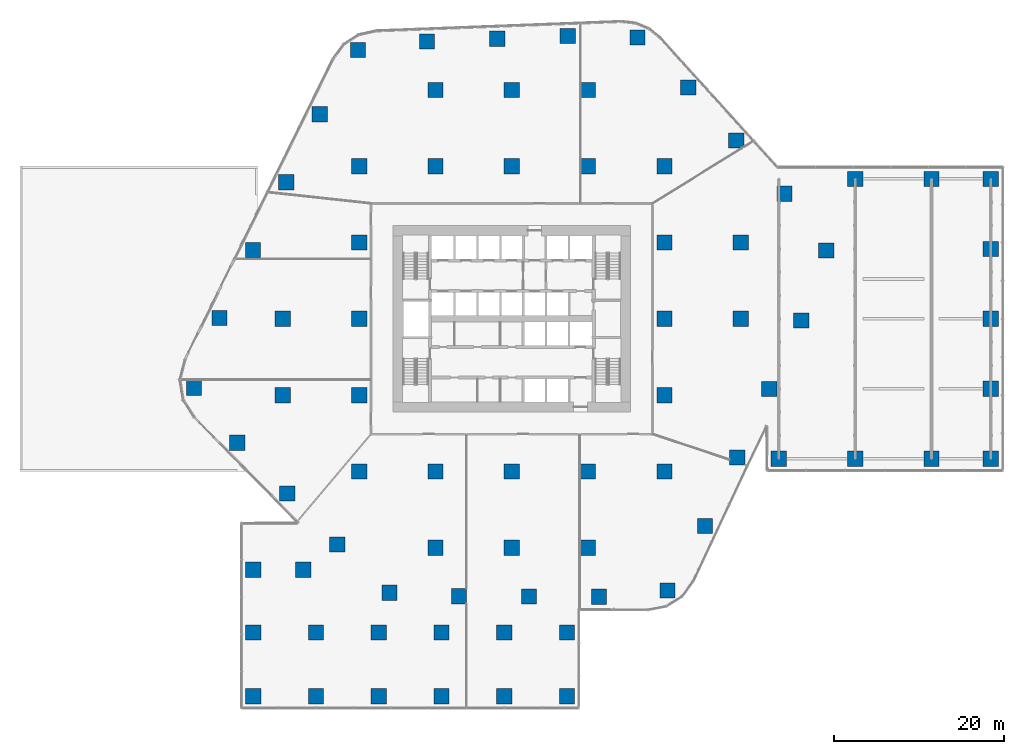
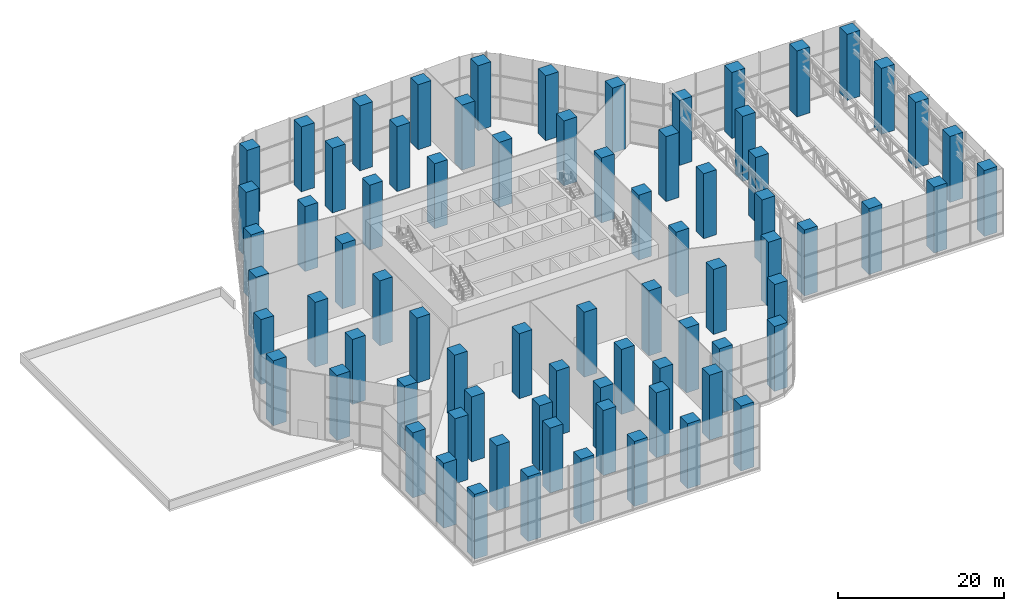
# One storey, part 1 of 21: 76 columns.
"""IFC4 building model written with IfcOpenShell, lengths in metres."""

from ifc_helpers import new_model, si_unit, direction, frame, origin, origin_2d, place, context, subcontext, project, spatial, rectangle, extrude, material, material_profile, profile_set, type_object, element, save


model = new_model("IFC4")

# Units and contexts
model_context = context("Model", 3, precision=1e-05, world=origin(), true_north=direction((0.0, 1.0)))
body_context = subcontext(model_context, "Body", "Model", "MODEL_VIEW")
ifc_project = project(units=[si_unit("LENGTHUNIT", "METRE"), si_unit("AREAUNIT", "SQUARE_METRE"), si_unit("VOLUMEUNIT", "CUBIC_METRE"), si_unit("PLANEANGLEUNIT", "RADIAN"), si_unit("MASSUNIT", "GRAM", prefix="KILO")], contexts=[model_context])

# Site, building, storey
site_placement = place(None, origin())
site = spatial("IfcSite", under=ifc_project, at=site_placement, CompositionType="ELEMENT")
building_placement = place(site_placement, origin())
building = spatial("IfcBuilding", under=site, at=building_placement, Name="Dongbaek Canopy Tower", CompositionType="ELEMENT")
storey_placement = place(building_placement, frame((0.0, 0.0, 9.0)))
storey = spatial("IfcBuildingStorey", under=building, at=storey_placement, Name="L01", CompositionType="ELEMENT", Elevation=9.0)

# Columns
ifc_material = material(Name="Concrete C80", Category="concrete")
ifc_material_profile = material_profile(ifc_material, rectangle(XDim=1.800048828125, YDim=1.800048828125, at=origin_2d()), Name="RC COLUMN 1800x1800 C80")
ifc_profile_set = profile_set([ifc_material_profile], Name="Concrete C80")
column_type = type_object("IfcColumnType", Name="RC COLUMN 1800x1800 C80", PredefinedType="COLUMN", material=ifc_profile_set)
for number, where, z_axis, x_axis, name in (
    (1, (18.367919921875, -32.04296875, 0.0), (0.0, 0.0, 1.0), (1.0, 0.0, 0.0), "COL:CP-01:L01"),
    (2, (10.277099609375, -32.7900390625, 0.0), (0.0, 0.0, 1.0), (1.0, 0.0, 0.0), "COL:CP-02:L01"),
    (3, (2.027099609375, -32.7529296875, 0.0), (0.0, 0.0, 1.0), (1.0, 0.0, 0.0), "COL:CP-03:L01"),
    (4, (-6.221923828125, -32.717041015625, 0.0), (0.0, 0.0, 1.0), (1.0, 0.0, 0.0), "COL:CP-04:L01"),
    (5, (-14.43408203125, -32.31298828125, 0.0), (0.0, 0.0, 1.0), (1.0, 0.0, 0.0), "COL:CP-05:L01"),
    (6, (-20.573974609375, -26.60205078125, 0.0), (0.0, 0.0, 1.0), (1.0, 0.0, 0.0), "COL:CP-06:L01"),
    (7, (-26.47802734375, -20.60791015625, 0.0), (0.0, 0.0, 1.0), (1.0, 0.0, 0.0), "COL:CP-07:L01"),
    (8, (-32.382080078125, -14.613037109375, 0.0), (0.0, 0.0, 1.0), (1.0, 0.0, 0.0), "COL:CP-08:L01"),
    (9, (-37.489013671875, -8.123046875, 0.0), (0.0, 0.0, 1.0), (1.0, 0.0, 0.0), "COL:CP-09:L01"),
    (10, (-34.462890625, 0.10302734375, 0.0), (0.0, 0.0, 1.0), (1.0, 0.0, 0.0), "COL:CP-10:L01"),
    (11, (-30.52490234375, 8.111083984375, 0.0), (0.0, 0.0, 1.0), (1.0, 0.0, 0.0), "COL:CP-11:L01"),
    (12, (-26.5859375, 16.117919921875, 0.0), (0.0, 0.0, 1.0), (1.0, 0.0, 0.0), "COL:CP-12:L01"),
    (13, (-22.64794921875, 24.125, 0.0), (0.0, 0.0, 1.0), (1.0, 0.0, 0.0), "COL:CP-13:L01"),
    (14, (-18.138916015625, 31.698974609375, 0.0), (0.0, 0.0, 1.0), (1.0, 0.0, 0.0), "COL:CP-14:L01"),
    (15, (-10.006103515625, 32.714111328125, 0.0), (0.0, 0.0, 1.0), (1.0, 0.0, 0.0), "COL:CP-15:L01"),
    (16, (-1.7080078125, 33.031982421875, 0.0), (0.0, 0.0, 1.0), (1.0, 0.0, 0.0), "COL:CP-16:L01"),
    (17, (6.589111328125, 33.34912109375, 0.0), (0.0, 0.0, 1.0), (1.0, 0.0, 0.0), "COL:CP-17:L01"),
    (18, (14.830078125, 33.194091796875, 0.0), (0.0, 0.0, 1.0), (1.0, 0.0, 0.0), "COL:CP-18:L01"),
    (19, (20.804931640625, 27.297119140625, 0.0), (0.0, 0.0, 1.0), (1.0, 0.0, 0.0), "COL:CP-19:L01"),
    (20, (26.48193359375, 21.029052734375, 0.0), (0.0, 0.0, 1.0), (1.0, 0.0, 0.0), "COL:CP-20:L01"),
    (21, (32.157958984375, 14.760986328125, 0.0), (0.0, 0.0, 1.0), (1.0, 0.0, 0.0), "COL:CP-21:L01"),
    (22, (37.097900390625, 8.06591796875, 0.0), (0.0, 0.0, 1.0), (1.0, 0.0, 0.0), "COL:CP-22:L01"),
    (23, (34.14306640625, -0.205078125, 0.0), (0.0, 0.0, 1.0), (1.0, 0.0, 0.0), "COL:CP-23:L01"),
    (24, (30.360107421875, -8.283935546875, 0.0), (0.0, 0.0, 1.0), (1.0, 0.0, 0.0), "COL:CP-24:L01"),
    (25, (26.575927734375, -16.364013671875, 0.0), (0.0, 0.0, 1.0), (1.0, 0.0, 0.0), "COL:CP-25:L01"),
    (26, (22.7919921875, -24.443115234375, 0.0), (0.0, 0.0, 1.0), (1.0, 0.0, 0.0), "COL:CP-26:L01"),
    (27, (-27.0, -9.0, 0.0), (0.0, 0.0, 1.0), (1.0, 0.0, 0.0), "COL:CIP-01:L01"),
    (28, (-27.0, 0.0, 0.0), (0.0, 0.0, 1.0), (1.0, 0.0, 0.0), "COL:CIP-02:L01"),
    (29, (-18.0, -18.0, 0.0), (0.0, 0.0, 1.0), (1.0, 0.0, 0.0), "COL:CIP-03:L01"),
    (30, (-18.0, -9.0, 0.0), (0.0, 0.0, 1.0), (1.0, 0.0, 0.0), "COL:CIP-04:L01"),
    (31, (-18.0, 0.0, 0.0), (0.0, 0.0, 1.0), (1.0, 0.0, 0.0), "COL:CIP-05:L01"),
    (32, (-18.0, 9.0, 0.0), (0.0, 0.0, 1.0), (1.0, 0.0, 0.0), "COL:CIP-06:L01"),
    (33, (-18.0, 18.0, 0.0), (0.0, 0.0, 1.0), (1.0, 0.0, 0.0), "COL:CIP-07:L01"),
    (34, (-9.0, -27.0, 0.0), (0.0, 0.0, 1.0), (1.0, 0.0, 0.0), "COL:CIP-08:L01"),
    (35, (-9.0, -18.0, 0.0), (0.0, 0.0, 1.0), (1.0, 0.0, 0.0), "COL:CIP-09:L01"),
    (36, (-9.0, 18.0, 0.0), (0.0, 0.0, 1.0), (1.0, 0.0, 0.0), "COL:CIP-10:L01"),
    (37, (-9.0, 27.0, 0.0), (0.0, 0.0, 1.0), (1.0, 0.0, 0.0), "COL:CIP-11:L01"),
    (38, (0.0, -27.0, 0.0), (0.0, 0.0, 1.0), (1.0, 0.0, 0.0), "COL:CIP-12:L01"),
    (39, (0.0, -18.0, 0.0), (0.0, 0.0, 1.0), (1.0, 0.0, 0.0), "COL:CIP-13:L01"),
    (40, (0.0, 18.0, 0.0), (0.0, 0.0, 1.0), (1.0, 0.0, 0.0), "COL:CIP-14:L01"),
    (41, (0.0, 27.0, 0.0), (0.0, 0.0, 1.0), (1.0, 0.0, 0.0), "COL:CIP-15:L01"),
    (42, (9.0, -27.0, 0.0), (0.0, 0.0, 1.0), (1.0, 0.0, 0.0), "COL:CIP-16:L01"),
    (43, (9.0, -18.0, 0.0), (0.0, 0.0, 1.0), (1.0, 0.0, 0.0), "COL:CIP-17:L01"),
    (44, (9.0, 18.0, 0.0), (0.0, 0.0, 1.0), (1.0, 0.0, 0.0), "COL:CIP-18:L01"),
    (45, (9.0, 27.0, 0.0), (0.0, 0.0, 1.0), (1.0, 0.0, 0.0), "COL:CIP-19:L01"),
    (46, (18.0, -18.0, 0.0), (0.0, 0.0, 1.0), (1.0, 0.0, 0.0), "COL:CIP-20:L01"),
    (47, (18.0, -9.0, 0.0), (0.0, 0.0, 1.0), (1.0, 0.0, 0.0), "COL:CIP-21:L01"),
    (48, (18.0, 0.0, 0.0), (0.0, 0.0, 1.0), (1.0, 0.0, 0.0), "COL:CIP-22:L01"),
    (49, (18.0, 9.0, 0.0), (0.0, 0.0, 1.0), (1.0, 0.0, 0.0), "COL:CIP-23:L01"),
    (50, (18.0, 18.0, 0.0), (0.0, 0.0, 1.0), (1.0, 0.0, 0.0), "COL:CIP-24:L01"),
    (51, (27.0, 0.0, 0.0), (0.0, 0.0, 1.0), (1.0, 0.0, 0.0), "COL:CIP-25:L01"),
    (52, (27.0, 9.0, 0.0), (0.0, 0.0, 1.0), (1.0, 0.0, 0.0), "COL:CIP-26:L01"),
):
    element("IfcColumn", number, at=place(storey_placement, frame(where, z_axis=z_axis, x_axis=x_axis)), inside=storey, type_object=column_type, Name=name, PredefinedType="COLUMN", context=body_context, shape_type="SweptSolid", body=[
        extrude(rectangle(XDim=1.800048828125, YDim=1.800048828125, at=origin_2d()), origin(), (0.0, 0.0, 1.0), 9.550048828125),
    ])
for number, where, z_axis, x_axis, name in (
    (53, (31.5, -16.5, 0.0), (0.0, 0.0, 1.0), (1.0, 0.0, 0.0), "COL:CWEW-01:L01"),
    (54, (40.5, -16.5, 0.0), (0.0, 0.0, 1.0), (1.0, 0.0, 0.0), "COL:CWEW-02:L01"),
    (55, (40.5, 16.5, 0.0), (0.0, 0.0, 1.0), (1.0, 0.0, 0.0), "COL:CWEW-03:L01"),
    (56, (49.5, -16.5, 0.0), (0.0, 0.0, 1.0), (1.0, 0.0, 0.0), "COL:CWEW-04:L01"),
    (57, (49.5, 16.5, 0.0), (0.0, 0.0, 1.0), (1.0, 0.0, 0.0), "COL:CWEW-05:L01"),
    (58, (56.5, -16.5, 0.0), (0.0, 0.0, 1.0), (1.0, 0.0, 0.0), "COL:CWEW-06:L01"),
    (59, (56.5, 16.5, 0.0), (0.0, 0.0, 1.0), (1.0, 0.0, 0.0), "COL:CWEW-07:L01"),
    (60, (56.5, -8.25, 0.0), (0.0, 0.0, 1.0), (1.0, 0.0, 0.0), "COL:CWEW-08:L01"),
    (61, (56.5, 0.0, 0.0), (0.0, 0.0, 1.0), (1.0, 0.0, 0.0), "COL:CWEW-09:L01"),
    (62, (56.5, 8.25, 0.0), (0.0, 0.0, 1.0), (1.0, 0.0, 0.0), "COL:CWEW-10:L01"),
):
    element("IfcColumn", number, at=place(storey_placement, frame(where, z_axis=z_axis, x_axis=x_axis)), inside=storey, type_object=column_type, Name=name, PredefinedType="COLUMN", context=body_context, shape_type="SweptSolid", body=[
        extrude(rectangle(XDim=1.800048828125, YDim=1.800048828125, at=origin_2d()), origin(), (0.0, 0.0, 1.0), 9.699951171875),
    ])
for number, where, z_axis, x_axis, name in (
    (63, (-30.5, -44.5, 0.0), (0.0, 0.0, 1.0), (1.0, 0.0, 0.0), "COL:CWSA-01:L01"),
    (64, (-30.5, -37.0, 0.0), (0.0, 0.0, 1.0), (1.0, 0.0, 0.0), "COL:CWSA-02:L01"),
    (65, (-30.5, -29.60009765625, 0.0), (0.0, 0.0, 1.0), (1.0, 0.0, 0.0), "COL:CWSA-03:L01"),
    (66, (-23.10009765625, -44.5, 0.0), (0.0, 0.0, 1.0), (1.0, 0.0, 0.0), "COL:CWSA-04:L01"),
    (67, (-23.10009765625, -37.0, 0.0), (0.0, 0.0, 1.0), (1.0, 0.0, 0.0), "COL:CWSA-05:L01"),
    (68, (-24.60009765625, -29.60009765625, 0.0), (0.0, 0.0, 1.0), (1.0, 0.0, 0.0), "COL:CWSA-06:L01"),
    (69, (-15.699951171875, -44.5, 0.0), (0.0, 0.0, 1.0), (1.0, 0.0, 0.0), "COL:CWSA-07:L01"),
    (70, (-15.699951171875, -37.0, 0.0), (0.0, 0.0, 1.0), (1.0, 0.0, 0.0), "COL:CWSA-08:L01"),
    (71, (-8.300048828125, -44.5, 0.0), (0.0, 0.0, 1.0), (1.0, 0.0, 0.0), "COL:CWSA-09:L01"),
    (72, (-8.300048828125, -37.0, 0.0), (0.0, 0.0, 1.0), (1.0, 0.0, 0.0), "COL:CWSA-10:L01"),
    (73, (-0.89990234375, -44.5, 0.0), (0.0, 0.0, 1.0), (1.0, 0.0, 0.0), "COL:CWSA-11:L01"),
    (74, (-0.89990234375, -37.0, 0.0), (0.0, 0.0, 1.0), (1.0, 0.0, 0.0), "COL:CWSA-12:L01"),
    (75, (6.5, -44.5, 0.0), (0.0, 0.0, 1.0), (1.0, 0.0, 0.0), "COL:CWSA-13:L01"),
    (76, (6.5, -37.0, 0.0), (0.0, 0.0, 1.0), (1.0, 0.0, 0.0), "COL:CWSA-14:L01"),
):
    element("IfcColumn", number, at=place(storey_placement, frame(where, z_axis=z_axis, x_axis=x_axis)), inside=storey, type_object=column_type, Name=name, PredefinedType="COLUMN", context=body_context, shape_type="SweptSolid", body=[
        extrude(rectangle(XDim=1.800048828125, YDim=1.800048828125, at=origin_2d()), origin(), (0.0, 0.0, 1.0), 9.550048828125),
    ])

save(model, "model.ifc")
